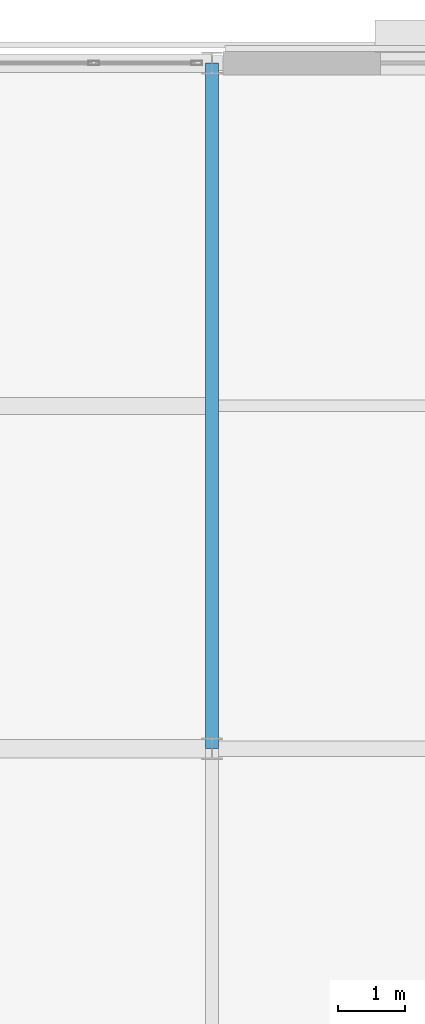
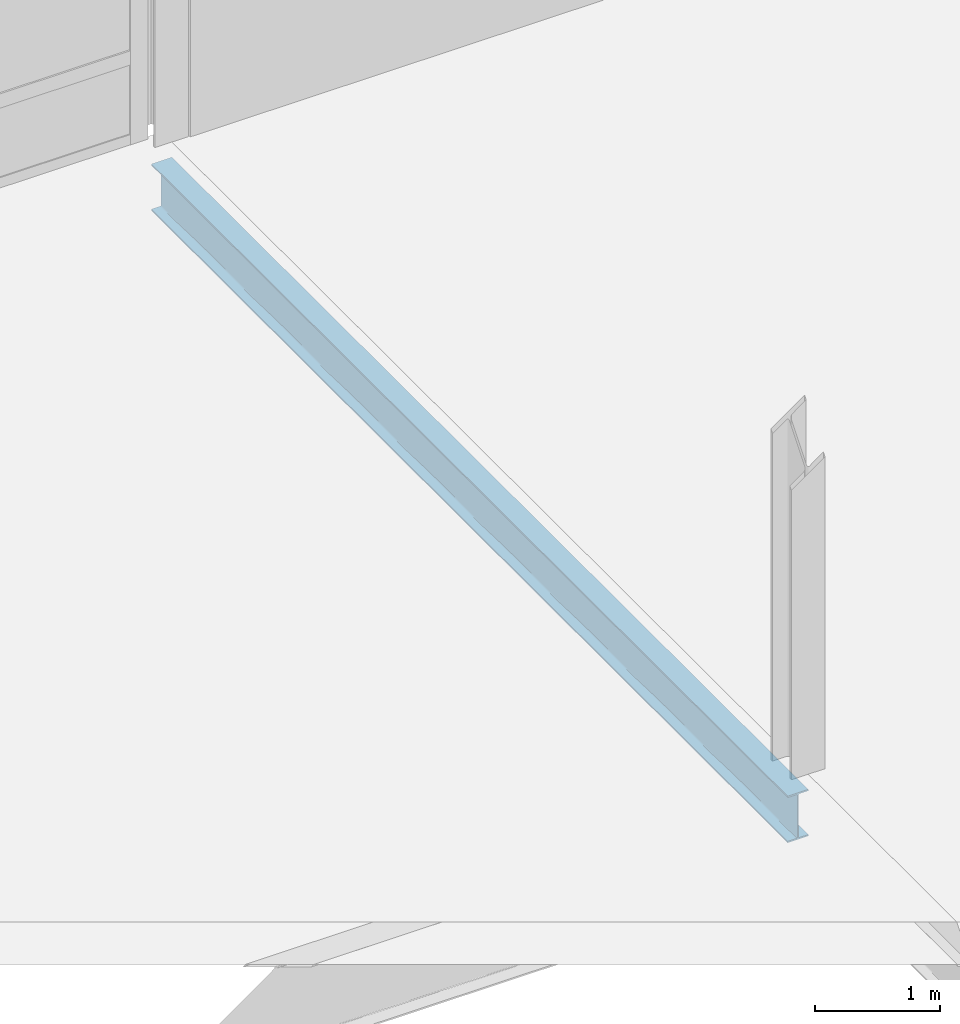
# One storey, part 69 of 185: 1 beam.
"""IFC4 building model written with IfcOpenShell, lengths in metres."""

from ifc_helpers import new_model, si_unit, direction, frame, origin, origin_2d, place, context, subcontext, project, spatial, i_section, extrude, material, material_profile, profile_set, type_object, element, save


model = new_model("IFC4")

# Units and contexts
model_context = context("Model", 3, precision=1e-05, world=origin(), true_north=direction((0.0, 1.0)))
body_context = subcontext(model_context, "Body", "Model", "MODEL_VIEW")
ifc_project = project(units=[si_unit("LENGTHUNIT", "METRE"), si_unit("AREAUNIT", "SQUARE_METRE"), si_unit("VOLUMEUNIT", "CUBIC_METRE"), si_unit("PLANEANGLEUNIT", "RADIAN"), si_unit("MASSUNIT", "GRAM", prefix="KILO")], contexts=[model_context])

# Site, building, storey
site_placement = place(None, origin())
site = spatial("IfcSite", under=ifc_project, at=site_placement, CompositionType="ELEMENT")
building_placement = place(site_placement, origin())
building = spatial("IfcBuilding", under=site, at=building_placement, Name="Vondelvale Polytechnic", CompositionType="ELEMENT")
storey_placement = place(building_placement, frame((0.0, 0.0, 9.60009765625)))
storey = spatial("IfcBuildingStorey", under=building, at=storey_placement, Name="L02", CompositionType="ELEMENT", Elevation=9.60009765625)

# Beam
ifc_material = material(Name="Steel 300PLUS (fy = 300 MPa)", Category="steel")
ifc_material_profile = material_profile(ifc_material, i_section(OverallWidth=0.18994140625, OverallDepth=0.45703125, WebThickness=0.009033203125, FlangeThickness=0.014404296875, FilletRadius=0.011474609375, at=origin_2d()), Name="460UB74.6")
ifc_profile_set = profile_set([ifc_material_profile], Name="Steel 300PLUS (fy = 300 MPa)")
beam_type = type_object("IfcBeamType", Name="BM-UB460", PredefinedType="BEAM", material=ifc_profile_set)
beam_placement = place(storey_placement, frame((28.800048828125, 112.199951171875, -0.508544921875), z_axis=(0.0, 1.0, 0.0), x_axis=(-1.0, 0.0, 0.0)))
element("IfcBeam", 1, at=beam_placement, inside=storey, type_object=beam_type, Name="L02 B B-13", PredefinedType="BEAM", context=body_context, shape_type="SweptSolid", body=[
    extrude(i_section(OverallWidth=0.18994140625, OverallDepth=0.45703125, WebThickness=0.009033203125, FlangeThickness=0.014404296875, FilletRadius=0.011474609375, at=origin_2d()), origin(), (0.0, 0.0, 1.0), 10.199951171875),
])

save(model, "model.ifc")
